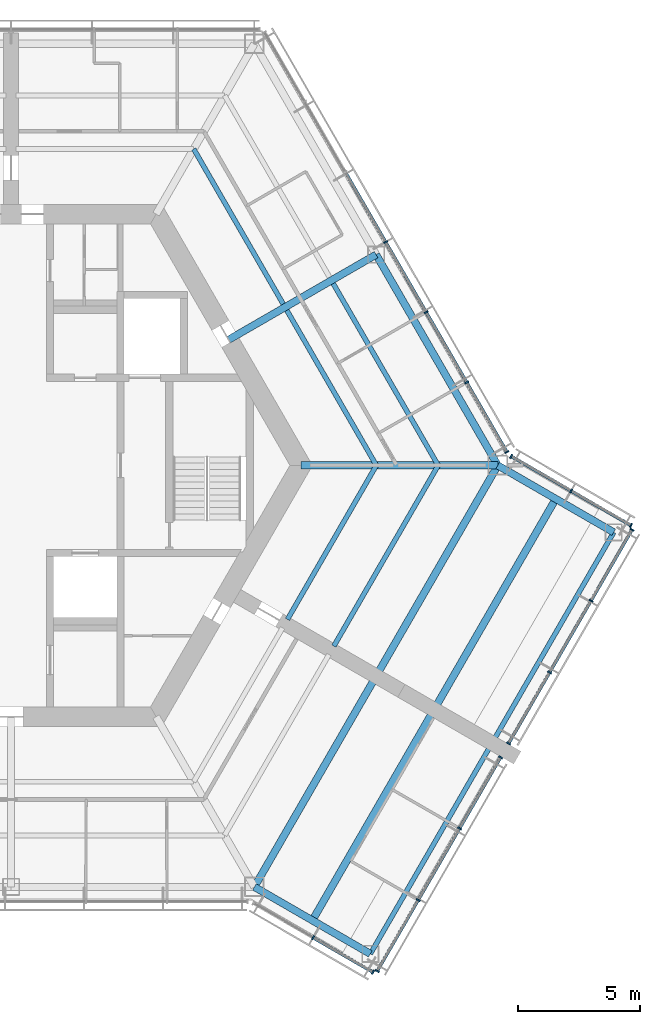
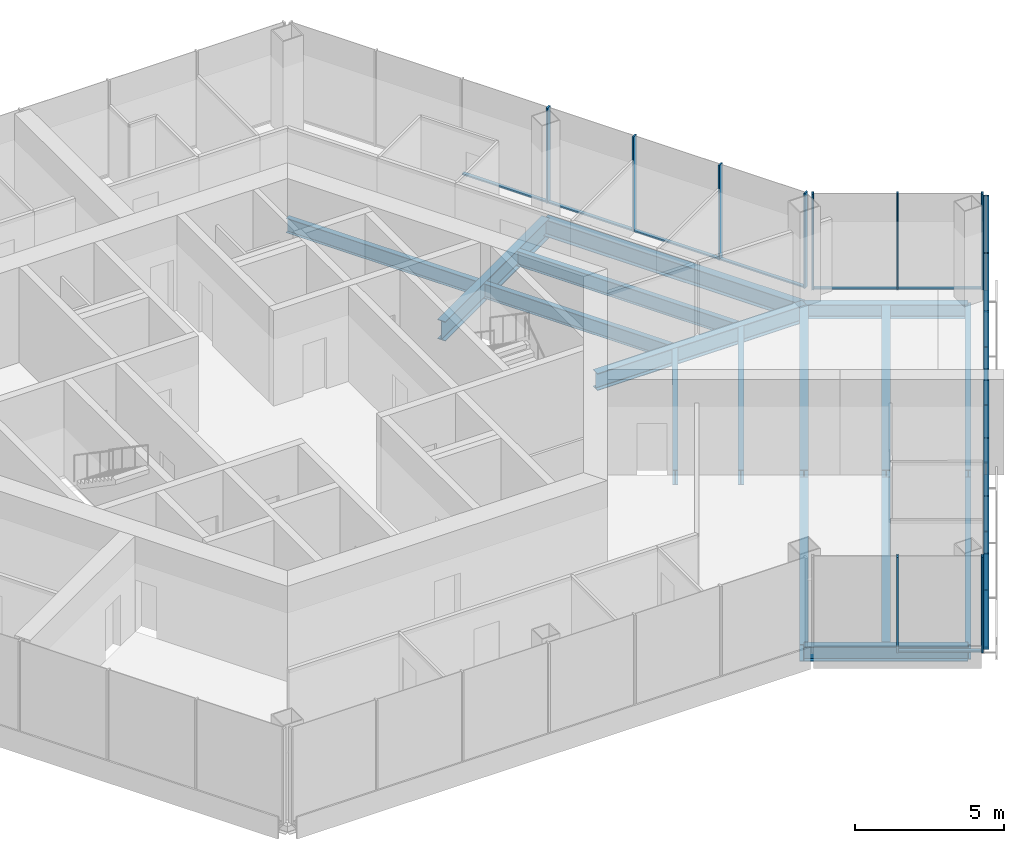
# One storey, part 4 of 13: 30 members, 16 beams, 5 elements without a shape of their own.
"""IFC4 building model written with IfcOpenShell, lengths in metres."""

from ifc_helpers import new_model, si_unit, direction, frame, origin, origin_2d, place, context, subcontext, project, spatial, rectangle, i_section, extrude, material, material_profile, profile_set, type_object, element, aggregate, save


model = new_model("IFC4")

# Units and contexts
model_context = context("Model", 3, precision=1e-05, world=origin(), true_north=direction((0.0, 1.0)))
body_context = subcontext(model_context, "Body", "Model", "MODEL_VIEW")
ifc_project = project(units=[si_unit("LENGTHUNIT", "METRE"), si_unit("AREAUNIT", "SQUARE_METRE"), si_unit("VOLUMEUNIT", "CUBIC_METRE"), si_unit("PLANEANGLEUNIT", "RADIAN"), si_unit("MASSUNIT", "GRAM", prefix="KILO")], contexts=[model_context])

# Site, building, storey
site_placement = place(None, origin())
site = spatial("IfcSite", under=ifc_project, at=site_placement, CompositionType="ELEMENT")
building_placement = place(site_placement, origin())
building = spatial("IfcBuilding", under=site, at=building_placement, Name="Kasaneha Research Tower", CompositionType="ELEMENT")
storey_placement = place(building_placement, frame((0.0, 0.0, 279.10009765625)))
storey = spatial("IfcBuildingStorey", under=building, at=storey_placement, Name="L70", CompositionType="ELEMENT", Elevation=279.10009765625)

# Beams
ifc_material_1 = material(Name="Steel SN490B", Category="steel")
ifc_material_profile_1 = material_profile(ifc_material_1, i_section(OverallWidth=0.199951171875, OverallDepth=0.60009765625, WebThickness=0.010986328125, FlangeThickness=0.01708984375, FilletRadius=0.012939453125, at=origin_2d()), Name="H-600x200x11x17")
ifc_profile_set_1 = profile_set([ifc_material_profile_1], Name="Steel SN490B")
beam_type_1 = type_object("IfcBeamType", Name="B1-3 secondary beam H-600x200x11x17", PredefinedType="JOIST", material=ifc_profile_set_1)
beam_1_placement = place(storey_placement, frame((15.010986328125, 0.0, -0.4501953125), z_axis=(-0.499994443168, 0.866028611999, 0.0), x_axis=(-0.866028611999, -0.499994443168, 0.0)))
element("IfcBeam", 1, at=beam_1_placement, inside=storey, type_object=beam_type_1, Name="Secondary beam RS030L1 L70", PredefinedType="JOIST", context=body_context, shape_type="SweptSolid", body=[
    extrude(i_section(OverallWidth=0.199951171875, OverallDepth=0.60009765625, WebThickness=0.010986328125, FlangeThickness=0.01708984375, FilletRadius=0.012939453125, at=origin_2d()), origin(), (0.0, 0.0, 1.0), 7.35546875),
])
beam_2_placement = place(storey_placement, frame((17.551513671875, 0.0, -0.4501953125), z_axis=(-0.5000050195, 0.866022505755, 0.0), x_axis=(-0.866022505755, -0.5000050195, 0.0)))
element("IfcBeam", 2, at=beam_2_placement, inside=storey, type_object=beam_type_1, Name="Secondary beam RS030L2 L70", PredefinedType="JOIST", context=body_context, shape_type="SweptSolid", body=[
    extrude(i_section(OverallWidth=0.199951171875, OverallDepth=0.60009765625, WebThickness=0.010986328125, FlangeThickness=0.01708984375, FilletRadius=0.012939453125, at=origin_2d()), origin(), (0.0, 0.0, 1.0), 8.6259765625),
])
beam_3_placement = place(storey_placement, frame((7.505615234375, 13.0, -0.4501953125), z_axis=(0.499994443168, -0.866028611999, 0.0), x_axis=(0.866028611999, 0.499994443168, 0.0)))
element("IfcBeam", 3, at=beam_3_placement, inside=storey, type_object=beam_type_1, Name="Secondary beam RS030R1 L70", PredefinedType="JOIST", context=body_context, shape_type="SweptSolid", body=[
    extrude(i_section(OverallWidth=0.199951171875, OverallDepth=0.60009765625, WebThickness=0.010986328125, FlangeThickness=0.01708984375, FilletRadius=0.012939453125, at=origin_2d()), origin(), (0.0, 0.0, 1.0), 7.35546875),
])
beam_4_placement = place(storey_placement, frame((15.010986328125, 0.0, -0.4501953125), z_axis=(-0.499974128195, -0.866040340363, 0.0), x_axis=(0.866040340363, -0.499974128195, 0.0)))
element("IfcBeam", 4, at=beam_4_placement, inside=storey, type_object=beam_type_1, Name="Secondary beam RS330R1 L70", PredefinedType="JOIST", context=body_context, shape_type="SweptSolid", body=[
    extrude(i_section(OverallWidth=0.199951171875, OverallDepth=0.60009765625, WebThickness=0.010986328125, FlangeThickness=0.01708984375, FilletRadius=0.012939453125, at=origin_2d()), origin(), (0.0, 0.0, 1.0), 7.3056640625),
])
beam_5_placement = place(storey_placement, frame((17.551513671875, 0.0, -0.4501953125), z_axis=(-0.500000102728, -0.866025344474, 0.0), x_axis=(0.866025344474, -0.500000102728, 0.0)))
element("IfcBeam", 5, at=beam_5_placement, inside=storey, type_object=beam_type_1, Name="Secondary beam RS330R2 L70", PredefinedType="JOIST", context=body_context, shape_type="SweptSolid", body=[
    extrude(i_section(OverallWidth=0.199951171875, OverallDepth=0.60009765625, WebThickness=0.010986328125, FlangeThickness=0.01708984375, FilletRadius=0.012939453125, at=origin_2d()), origin(), (0.0, 0.0, 1.0), 8.57568359375),
])
ifc_material_2 = material(Name="Steel SN490B", Category="steel")
ifc_material_profile_2 = material_profile(ifc_material_2, i_section(OverallWidth=0.300048828125, OverallDepth=0.58203125, WebThickness=0.011962890625, FlangeThickness=0.01708984375, FilletRadius=0.012939453125, at=origin_2d()), Name="H-582x300x12x17")
ifc_profile_set_2 = profile_set([ifc_material_profile_2], Name="Steel SN490B")
beam_type_2 = type_object("IfcBeamType", Name="B2-3 secondary beam H-582x300x12x17", PredefinedType="JOIST", material=ifc_profile_set_2)
for number, where, z_axis, x_axis, name in (
    (6, (12.381591796875, -18.695556640625, -0.441162109375), (0.49999201416, 0.866030014362, 0.0), (-0.866030014362, 0.49999201416, 0.0), "Secondary beam WBCP1 L70"),
    (7, (22.381591796875, -1.375, -0.441162109375), (-0.49999201416, -0.866030014362, 0.0), (0.866030014362, -0.49999201416, 0.0), "Secondary beam WBCN1 L70"),
):
    element("IfcBeam", number, at=place(storey_placement, frame(where, z_axis=z_axis, x_axis=x_axis)), inside=storey, type_object=beam_type_2, Name=name, PredefinedType="JOIST", context=body_context, shape_type="SweptSolid", body=[
        extrude(i_section(OverallWidth=0.300048828125, OverallDepth=0.58203125, WebThickness=0.011962890625, FlangeThickness=0.01708984375, FilletRadius=0.012939453125, at=origin_2d()), origin(), (0.0, 0.0, 1.0), 9.800048828125),
    ])

# Curtain wall, members
ifc_material_3 = material(Name="Glass and aluminium", Category="aluminium")
curtain_wall_type = type_object("IfcCurtainWallType", Name="Crown curtain wall", PredefinedType="USERDEFINED", material=ifc_material_3)
curtain_wall_1_placement = place(storey_placement, origin())
curtain_wall_1 = element("IfcCurtainWall", 8, at=curtain_wall_1_placement, inside=storey, type_object=curtain_wall_type, Name="CW-C L70 run 01a", ObjectType="UNITISED CURTAIN WALL", PredefinedType="USERDEFINED")
ifc_material_4 = material(Name="Aluminium 6063-T6", Category="aluminium")
ifc_material_profile_3 = material_profile(ifc_material_4, rectangle(XDim=0.06005859375, YDim=0.179931640625, at=origin_2d()), Name="CW-C mullion 60x180")
ifc_profile_set_3 = profile_set([ifc_material_profile_3], Name="Aluminium 6063-T6")
member_type_1 = type_object("IfcMemberType", Name="CW-C mullion", PredefinedType="MULLION", material=ifc_profile_set_3)
member_1_placement = place(storey_placement, frame((20.374267578125, 0.5517578125, 0.0), z_axis=(0.0, 0.0, 1.0), x_axis=(-0.499999979232, 0.866025415775, 0.0)))
member_1 = element("IfcMember", 9, at=member_1_placement, type_object=member_type_1, Name="CW-C mullion 1", PredefinedType="MULLION", context=body_context, shape_type="SweptSolid", body=[
    extrude(rectangle(XDim=0.06005859375, YDim=0.179931640625, at=origin_2d()), origin(), (0.0, 0.0, 1.0), 3.89990234375),
])
member_2_placement = place(storey_placement, frame((18.723876953125, 3.410400390625, 0.0), z_axis=(0.0, 0.0, 1.0), x_axis=(-0.499999979232, 0.866025415775, 0.0)))
member_2 = element("IfcMember", 10, at=member_2_placement, type_object=member_type_1, Name="CW-C mullion 2", PredefinedType="MULLION", context=body_context, shape_type="SweptSolid", body=[
    extrude(rectangle(XDim=0.06005859375, YDim=0.179931640625, at=origin_2d()), origin(), (0.0, 0.0, 1.0), 3.89990234375),
])
member_3_placement = place(storey_placement, frame((17.058349609375, 6.295166015625, 0.0), z_axis=(0.0, 0.0, 1.0), x_axis=(-0.499999979232, 0.866025415775, 0.0)))
member_3 = element("IfcMember", 11, at=member_3_placement, type_object=member_type_1, Name="CW-C mullion 3", PredefinedType="MULLION", context=body_context, shape_type="SweptSolid", body=[
    extrude(rectangle(XDim=0.06005859375, YDim=0.179931640625, at=origin_2d()), origin(), (0.0, 0.0, 1.0), 3.89990234375),
])
member_4_placement = place(storey_placement, frame((15.392822265625, 9.179931640625, 0.0), z_axis=(0.0, 0.0, 1.0), x_axis=(-0.499999979232, 0.866025415775, 0.0)))
member_4 = element("IfcMember", 12, at=member_4_placement, type_object=member_type_1, Name="CW-C mullion 4", PredefinedType="MULLION", context=body_context, shape_type="SweptSolid", body=[
    extrude(rectangle(XDim=0.06005859375, YDim=0.179931640625, at=origin_2d()), origin(), (0.0, 0.0, 1.0), 3.89990234375),
])

curtain_wall_2_placement = place(storey_placement, origin())
curtain_wall_2 = element("IfcCurtainWall", 13, at=curtain_wall_2_placement, inside=storey, type_object=curtain_wall_type, Name="CW-C L70 run 06a", ObjectType="UNITISED CURTAIN WALL", PredefinedType="USERDEFINED")
member_5_placement = place(storey_placement, frame((12.410888671875, -19.4052734375, 0.0), z_axis=(0.0, 0.0, 1.0), x_axis=(0.866025443395, -0.499999931393, 0.0)))
member_5 = element("IfcMember", 14, at=member_5_placement, type_object=member_type_1, Name="CW-C mullion 2", PredefinedType="MULLION", context=body_context, shape_type="SweptSolid", body=[
    extrude(rectangle(XDim=0.06005859375, YDim=0.179931640625, at=origin_2d()), origin(), (0.0, 0.0, 1.0), 3.89990234375),
])
member_6_placement = place(storey_placement, frame((14.8701171875, -20.8251953125, 0.0), z_axis=(0.0, 0.0, 1.0), x_axis=(0.866025443395, -0.499999931393, 0.0)))
member_6 = element("IfcMember", 15, at=member_6_placement, type_object=member_type_1, Name="CW-C mullion 3", PredefinedType="MULLION", context=body_context, shape_type="SweptSolid", body=[
    extrude(rectangle(XDim=0.06005859375, YDim=0.179931640625, at=origin_2d()), origin(), (0.0, 0.0, 1.0), 3.89990234375),
])

curtain_wall_3_placement = place(storey_placement, origin())
curtain_wall_3 = element("IfcCurtainWall", 16, at=curtain_wall_3_placement, inside=storey, type_object=curtain_wall_type, Name="CW-C L70 run 07a", ObjectType="UNITISED CURTAIN WALL", PredefinedType="USERDEFINED")
member_7_placement = place(storey_placement, frame((15.0478515625, -20.777587890625, 0.0), z_axis=(0.0, 0.0, 1.0), x_axis=(0.500000011442, 0.866025397178, 0.0)))
member_7 = element("IfcMember", 17, at=member_7_placement, type_object=member_type_1, Name="CW-C mullion 1", PredefinedType="MULLION", context=body_context, shape_type="SweptSolid", body=[
    extrude(rectangle(XDim=0.06005859375, YDim=0.179931640625, at=origin_2d()), origin(), (0.0, 0.0, 1.0), 3.89990234375),
])
member_8_placement = place(storey_placement, frame((16.732666015625, -17.859130859375, 0.0), z_axis=(0.0, 0.0, 1.0), x_axis=(0.500000011442, 0.866025397178, 0.0)))
member_8 = element("IfcMember", 18, at=member_8_placement, type_object=member_type_1, Name="CW-C mullion 2", PredefinedType="MULLION", context=body_context, shape_type="SweptSolid", body=[
    extrude(rectangle(XDim=0.06005859375, YDim=0.179931640625, at=origin_2d()), origin(), (0.0, 0.0, 1.0), 3.89990234375),
])
member_9_placement = place(storey_placement, frame((18.432861328125, -14.91455078125, 0.0), z_axis=(0.0, 0.0, 1.0), x_axis=(0.500000011442, 0.866025397178, 0.0)))
member_9 = element("IfcMember", 19, at=member_9_placement, type_object=member_type_1, Name="CW-C mullion 3", PredefinedType="MULLION", context=body_context, shape_type="SweptSolid", body=[
    extrude(rectangle(XDim=0.06005859375, YDim=0.179931640625, at=origin_2d()), origin(), (0.0, 0.0, 1.0), 3.89990234375),
])
member_10_placement = place(storey_placement, frame((20.11767578125, -11.99609375, 0.0), z_axis=(0.0, 0.0, 1.0), x_axis=(0.500000011442, 0.866025397178, 0.0)))
member_10 = element("IfcMember", 20, at=member_10_placement, type_object=member_type_1, Name="CW-C mullion 4", PredefinedType="MULLION", context=body_context, shape_type="SweptSolid", body=[
    extrude(rectangle(XDim=0.06005859375, YDim=0.179931640625, at=origin_2d()), origin(), (0.0, 0.0, 1.0), 3.89990234375),
])

curtain_wall_4_placement = place(storey_placement, origin())
curtain_wall_4 = element("IfcCurtainWall", 21, at=curtain_wall_4_placement, inside=storey, type_object=curtain_wall_type, Name="CW-C L70 run 08a", ObjectType="UNITISED CURTAIN WALL", PredefinedType="USERDEFINED")
member_11_placement = place(storey_placement, frame((20.44775390625, -11.424560546875, 0.0), z_axis=(0.0, 0.0, 1.0), x_axis=(0.500000011442, 0.866025397178, 0.0)))
member_11 = element("IfcMember", 22, at=member_11_placement, type_object=member_type_1, Name="CW-C mullion 1", PredefinedType="MULLION", context=body_context, shape_type="SweptSolid", body=[
    extrude(rectangle(XDim=0.06005859375, YDim=0.179931640625, at=origin_2d()), origin(), (0.0, 0.0, 1.0), 3.89990234375),
])
member_12_placement = place(storey_placement, frame((22.1328125, -8.505859375, 0.0), z_axis=(0.0, 0.0, 1.0), x_axis=(0.500000011442, 0.866025397178, 0.0)))
member_12 = element("IfcMember", 23, at=member_12_placement, type_object=member_type_1, Name="CW-C mullion 2", PredefinedType="MULLION", context=body_context, shape_type="SweptSolid", body=[
    extrude(rectangle(XDim=0.06005859375, YDim=0.179931640625, at=origin_2d()), origin(), (0.0, 0.0, 1.0), 3.89990234375),
])
member_13_placement = place(storey_placement, frame((23.832763671875, -5.5615234375, 0.0), z_axis=(0.0, 0.0, 1.0), x_axis=(0.500000011442, 0.866025397178, 0.0)))
member_13 = element("IfcMember", 24, at=member_13_placement, type_object=member_type_1, Name="CW-C mullion 3", PredefinedType="MULLION", context=body_context, shape_type="SweptSolid", body=[
    extrude(rectangle(XDim=0.06005859375, YDim=0.179931640625, at=origin_2d()), origin(), (0.0, 0.0, 1.0), 3.89990234375),
])
member_14_placement = place(storey_placement, frame((25.517822265625, -2.64306640625, 0.0), z_axis=(0.0, 0.0, 1.0), x_axis=(0.500000011442, 0.866025397178, 0.0)))
member_14 = element("IfcMember", 25, at=member_14_placement, type_object=member_type_1, Name="CW-C mullion 4", PredefinedType="MULLION", context=body_context, shape_type="SweptSolid", body=[
    extrude(rectangle(XDim=0.06005859375, YDim=0.179931640625, at=origin_2d()), origin(), (0.0, 0.0, 1.0), 3.89990234375),
])

curtain_wall_5_placement = place(storey_placement, origin())
curtain_wall_5 = element("IfcCurtainWall", 26, at=curtain_wall_5_placement, inside=storey, type_object=curtain_wall_type, Name="CW-C L70 run 09a", ObjectType="UNITISED CURTAIN WALL", PredefinedType="USERDEFINED")
member_15_placement = place(storey_placement, frame((25.47021484375, -2.46533203125, 0.0), z_axis=(0.0, 0.0, 1.0), x_axis=(-0.866025443395, 0.499999931393, 0.0)))
member_15 = element("IfcMember", 27, at=member_15_placement, type_object=member_type_1, Name="CW-C mullion 1", PredefinedType="MULLION", context=body_context, shape_type="SweptSolid", body=[
    extrude(rectangle(XDim=0.06005859375, YDim=0.179931640625, at=origin_2d()), origin(), (0.0, 0.0, 1.0), 3.89990234375),
])
member_16_placement = place(storey_placement, frame((23.010986328125, -1.045654296875, 0.0), z_axis=(0.0, 0.0, 1.0), x_axis=(-0.866025443395, 0.499999931393, 0.0)))
member_16 = element("IfcMember", 28, at=member_16_placement, type_object=member_type_1, Name="CW-C mullion 2", PredefinedType="MULLION", context=body_context, shape_type="SweptSolid", body=[
    extrude(rectangle(XDim=0.06005859375, YDim=0.179931640625, at=origin_2d()), origin(), (0.0, 0.0, 1.0), 3.89990234375),
])
member_17_placement = place(storey_placement, frame((20.5517578125, 0.374267578125, 0.0), z_axis=(0.0, 0.0, 1.0), x_axis=(-0.866025443395, 0.499999931393, 0.0)))
member_17 = element("IfcMember", 29, at=member_17_placement, type_object=member_type_1, Name="CW-C mullion 3", PredefinedType="MULLION", context=body_context, shape_type="SweptSolid", body=[
    extrude(rectangle(XDim=0.06005859375, YDim=0.179931640625, at=origin_2d()), origin(), (0.0, 0.0, 1.0), 3.89990234375),
])

# Member
ifc_material_5 = material(Name="Aluminium 6063-T6", Category="aluminium")
ifc_material_profile_4 = material_profile(ifc_material_5, rectangle(XDim=0.1298828125, YDim=0.06005859375, at=origin_2d()), Name="CW-C transom 130x60")
ifc_profile_set_4 = profile_set([ifc_material_profile_4], Name="Aluminium 6063-T6")
member_type_2 = type_object("IfcMemberType", Name="CW-C transom", PredefinedType="USERDEFINED", material=ifc_profile_set_4)
member_18_placement = place(storey_placement, frame((20.359130859375, 0.577880859375, 0.02978515625), z_axis=(-0.499987643696, 0.866032537582, 0.0), x_axis=(-0.866032537582, -0.499987643696, 0.0)))
member_18 = element("IfcMember", 30, at=member_18_placement, type_object=member_type_2, Name="CW-C transom 1", ObjectType="TRANSOM", PredefinedType="USERDEFINED", context=body_context, shape_type="SweptSolid", body=[
    extrude(rectangle(XDim=0.1298828125, YDim=0.06005859375, at=origin_2d()), origin(), (0.0, 0.0, 1.0), 3.24072265625),
])

member_19_placement = place(storey_placement, frame((18.708740234375, 3.4365234375, 0.02978515625), z_axis=(-0.500000270186, 0.866025247793, 0.0), x_axis=(-0.866025247793, -0.500000270186, 0.0)))
member_19 = element("IfcMember", 31, at=member_19_placement, type_object=member_type_2, Name="CW-C transom 2", ObjectType="TRANSOM", PredefinedType="USERDEFINED", context=body_context, shape_type="SweptSolid", body=[
    extrude(rectangle(XDim=0.1298828125, YDim=0.06005859375, at=origin_2d()), origin(), (0.0, 0.0, 1.0), 3.27099609375),
])

member_20_placement = place(storey_placement, frame((17.043212890625, 6.3212890625, 0.02978515625), z_axis=(-0.50003259116, 0.866006586452, 0.0), x_axis=(-0.866006586452, -0.50003259116, 0.0)))
member_20 = element("IfcMember", 32, at=member_20_placement, type_object=member_type_2, Name="CW-C transom 3", ObjectType="TRANSOM", PredefinedType="USERDEFINED", context=body_context, shape_type="SweptSolid", body=[
    extrude(rectangle(XDim=0.1298828125, YDim=0.06005859375, at=origin_2d()), origin(), (0.0, 0.0, 1.0), 3.270751953125),
])

member_21_placement = place(storey_placement, frame((15.3779296875, 9.205810546875, 0.02978515625), z_axis=(-0.500000270186, 0.866025247793, 0.0), x_axis=(-0.866025247793, -0.500000270186, 0.0)))
member_21 = element("IfcMember", 33, at=member_21_placement, type_object=member_type_2, Name="CW-C transom 4", ObjectType="TRANSOM", PredefinedType="USERDEFINED", context=body_context, shape_type="SweptSolid", body=[
    extrude(rectangle(XDim=0.1298828125, YDim=0.06005859375, at=origin_2d()), origin(), (0.0, 0.0, 1.0), 3.27099609375),
])

aggregate(curtain_wall_1, [member_1, member_2, member_3, member_4, member_18, member_19, member_20, member_21])

member_22_placement = place(storey_placement, frame((12.43701171875, -19.42041015625, 0.02978515625), z_axis=(0.866051024128, -0.499955621637, 0.0), x_axis=(0.499955621637, 0.866051024128, 0.0)))
member_22 = element("IfcMember", 34, at=member_22_placement, type_object=member_type_2, Name="CW-C transom 2", ObjectType="TRANSOM", PredefinedType="USERDEFINED", context=body_context, shape_type="SweptSolid", body=[
    extrude(rectangle(XDim=0.1298828125, YDim=0.06005859375, at=origin_2d()), origin(), (0.0, 0.0, 1.0), 2.779541015625),
])

aggregate(curtain_wall_2, [member_5, member_6, member_22])

member_23_placement = place(storey_placement, frame((15.062744140625, -20.75146484375, 0.02978515625), z_axis=(0.500018282537, 0.866014848099, 0.0), x_axis=(-0.866014848099, 0.500018282537, 0.0)))
member_23 = element("IfcMember", 35, at=member_23_placement, type_object=member_type_2, Name="CW-C transom 1", ObjectType="TRANSOM", PredefinedType="USERDEFINED", context=body_context, shape_type="SweptSolid", body=[
    extrude(rectangle(XDim=0.1298828125, YDim=0.06005859375, at=origin_2d()), origin(), (0.0, 0.0, 1.0), 3.31005859375),
])

member_24_placement = place(storey_placement, frame((16.747802734375, -17.8330078125, 0.02978515625), z_axis=(0.499975549825, 0.866039519639, 0.0), x_axis=(-0.866039519639, 0.499975549825, 0.0)))
member_24 = element("IfcMember", 36, at=member_24_placement, type_object=member_type_2, Name="CW-C transom 2", ObjectType="TRANSOM", PredefinedType="USERDEFINED", context=body_context, shape_type="SweptSolid", body=[
    extrude(rectangle(XDim=0.1298828125, YDim=0.06005859375, at=origin_2d()), origin(), (0.0, 0.0, 1.0), 3.340087890625),
])

member_25_placement = place(storey_placement, frame((18.44775390625, -14.888671875, 0.02978515625), z_axis=(0.49998634449, 0.866033287653, 0.0), x_axis=(-0.866033287653, 0.49998634449, 0.0)))
member_25 = element("IfcMember", 37, at=member_25_placement, type_object=member_type_2, Name="CW-C transom 3", ObjectType="TRANSOM", PredefinedType="USERDEFINED", context=body_context, shape_type="SweptSolid", body=[
    extrude(rectangle(XDim=0.1298828125, YDim=0.06005859375, at=origin_2d()), origin(), (0.0, 0.0, 1.0), 3.31005859375),
])

aggregate(curtain_wall_3, [member_7, member_8, member_9, member_10, member_23, member_24, member_25])

member_26_placement = place(storey_placement, frame((20.462646484375, -11.3984375, 0.02978515625), z_axis=(0.500018282537, 0.866014848099, 0.0), x_axis=(-0.866014848099, 0.500018282537, 0.0)))
member_26 = element("IfcMember", 38, at=member_26_placement, type_object=member_type_2, Name="CW-C transom 1", ObjectType="TRANSOM", PredefinedType="USERDEFINED", context=body_context, shape_type="SweptSolid", body=[
    extrude(rectangle(XDim=0.1298828125, YDim=0.06005859375, at=origin_2d()), origin(), (0.0, 0.0, 1.0), 3.31005859375),
])

member_27_placement = place(storey_placement, frame((22.147705078125, -8.47998046875, 0.02978515625), z_axis=(0.500030370488, 0.866007868665, 0.0), x_axis=(-0.866007868665, 0.500030370488, 0.0)))
member_27 = element("IfcMember", 39, at=member_27_placement, type_object=member_type_2, Name="CW-C transom 2", ObjectType="TRANSOM", PredefinedType="USERDEFINED", context=body_context, shape_type="SweptSolid", body=[
    extrude(rectangle(XDim=0.1298828125, YDim=0.06005859375, at=origin_2d()), origin(), (0.0, 0.0, 1.0), 3.340087890625),
])

member_28_placement = place(storey_placement, frame((23.84765625, -5.535400390625, 0.02978515625), z_axis=(0.500018282537, 0.866014848099, 0.0), x_axis=(-0.866014848099, 0.500018282537, 0.0)))
member_28 = element("IfcMember", 40, at=member_28_placement, type_object=member_type_2, Name="CW-C transom 3", ObjectType="TRANSOM", PredefinedType="USERDEFINED", context=body_context, shape_type="SweptSolid", body=[
    extrude(rectangle(XDim=0.1298828125, YDim=0.06005859375, at=origin_2d()), origin(), (0.0, 0.0, 1.0), 3.31005859375),
])

aggregate(curtain_wall_4, [member_11, member_12, member_13, member_14, member_26, member_27, member_28])

member_29_placement = place(storey_placement, frame((25.444091796875, -2.450439453125, 0.02978515625), z_axis=(-0.866012991964, 0.500021497287, 0.0), x_axis=(-0.500021497287, -0.866012991964, 0.0)))
member_29 = element("IfcMember", 41, at=member_29_placement, type_object=member_type_2, Name="CW-C transom 1", ObjectType="TRANSOM", PredefinedType="USERDEFINED", context=body_context, shape_type="SweptSolid", body=[
    extrude(rectangle(XDim=0.1298828125, YDim=0.06005859375, at=origin_2d()), origin(), (0.0, 0.0, 1.0), 2.77978515625),
])

member_30_placement = place(storey_placement, frame((22.985107421875, -1.030517578125, 0.02978515625), z_axis=(-0.866051024128, 0.499955621637, 0.0), x_axis=(-0.499955621637, -0.866051024128, 0.0)))
member_30 = element("IfcMember", 42, at=member_30_placement, type_object=member_type_2, Name="CW-C transom 2", ObjectType="TRANSOM", PredefinedType="USERDEFINED", context=body_context, shape_type="SweptSolid", body=[
    extrude(rectangle(XDim=0.1298828125, YDim=0.06005859375, at=origin_2d()), origin(), (0.0, 0.0, 1.0), 2.779541015625),
])

aggregate(curtain_wall_5, [member_15, member_16, member_17, member_29, member_30])

# Beams
ifc_material_6 = material(Name="Steel SN490B", Category="steel")
ifc_material_profile_5 = material_profile(ifc_material_6, i_section(OverallWidth=0.300048828125, OverallDepth=0.699951171875, WebThickness=0.012939453125, FlangeThickness=0.02392578125, FilletRadius=0.01806640625, at=origin_2d()), Name="H-700x300x13x24")
ifc_profile_set_5 = profile_set([ifc_material_profile_5], Name="Steel SN490B")
beam_type_3 = type_object("IfcBeamType", Name="G1-3 radial girder H-700x300x13x24", PredefinedType="BEAM", material=ifc_profile_set_5)
beam_6_placement = place(storey_placement, frame((11.92236328125, 0.0, -0.5), z_axis=(1.0, 0.0, 0.0), x_axis=(0.0, 1.0, 0.0)))
element("IfcBeam", 43, at=beam_6_placement, inside=storey, type_object=beam_type_3, Name="Radial girder RV000 L70", PredefinedType="BEAM", context=body_context, shape_type="SweptSolid", body=[
    extrude(i_section(OverallWidth=0.300048828125, OverallDepth=0.699951171875, WebThickness=0.012939453125, FlangeThickness=0.02392578125, FilletRadius=0.01806640625, at=origin_2d()), origin(), (0.0, 0.0, 1.0), 8.07763671875),
])
ifc_material_7 = material(Name="Steel SN490B", Category="steel")
ifc_material_profile_6 = material_profile(ifc_material_7, i_section(OverallWidth=0.300048828125, OverallDepth=0.800048828125, WebThickness=0.013916015625, FlangeThickness=0.02587890625, FilletRadius=0.01806640625, at=origin_2d()), Name="H-800x300x14x26")
ifc_profile_set_6 = profile_set([ifc_material_profile_6], Name="Steel SN490B")
beam_type_4 = type_object("IfcBeamType", Name="G2-3 radial girder H-800x300x14x26", PredefinedType="BEAM", material=ifc_profile_set_6)
beam_7_placement = place(storey_placement, frame((8.941650390625, 5.16259765625, -0.550048828125), z_axis=(0.866039713508, 0.499975214012, 0.0), x_axis=(-0.499975214012, 0.866039713508, 0.0)))
element("IfcBeam", 44, at=beam_7_placement, inside=storey, type_object=beam_type_4, Name="Radial girder RM030 L70", PredefinedType="BEAM", context=body_context, shape_type="SweptSolid", body=[
    extrude(i_section(OverallWidth=0.300048828125, OverallDepth=0.800048828125, WebThickness=0.013916015625, FlangeThickness=0.02587890625, FilletRadius=0.01806640625, at=origin_2d()), origin(), (0.0, 0.0, 1.0), 6.995361328125),
])
ifc_material_8 = material(Name="Steel SN490B", Category="steel")
ifc_material_profile_7 = material_profile(ifc_material_8, i_section(OverallWidth=0.300048828125, OverallDepth=0.69189453125, WebThickness=0.012939453125, FlangeThickness=0.02001953125, FilletRadius=0.01806640625, at=origin_2d()), Name="H-692x300x13x20")
ifc_profile_set_7 = profile_set([ifc_material_profile_7], Name="Steel SN490B")
beam_type_5 = type_object("IfcBeamType", Name="G3-3 plate edge girder H-692x300x13x20", PredefinedType="BEAM", material=ifc_profile_set_7)
for number, where, z_axis, x_axis, name in (
    (45, (10.0, -17.320556640625, -0.49609375), (0.49999201416, 0.866030014362, 0.0), (-0.866030014362, 0.49999201416, 0.0), "Plate edge girder PECP L70"),
    (46, (20.0, 0.0, -0.49609375), (-0.49999201416, -0.866030014362, 0.0), (0.866030014362, -0.49999201416, 0.0), "Plate edge girder PECN L70"),
):
    element("IfcBeam", number, at=place(storey_placement, frame(where, z_axis=z_axis, x_axis=x_axis)), inside=storey, type_object=beam_type_5, Name=name, PredefinedType="BEAM", context=body_context, shape_type="SweptSolid", body=[
        extrude(i_section(OverallWidth=0.300048828125, OverallDepth=0.69189453125, WebThickness=0.012939453125, FlangeThickness=0.02001953125, FilletRadius=0.01806640625, at=origin_2d()), origin(), (0.0, 0.0, 1.0), 9.800048828125),
    ])
ifc_material_9 = material(Name="Steel SN490B", Category="steel")
ifc_material_profile_8 = material_profile(ifc_material_9, i_section(OverallWidth=0.300048828125, OverallDepth=0.69189453125, WebThickness=0.012939453125, FlangeThickness=0.02001953125, FilletRadius=0.01806640625, at=origin_2d()), Name="H-692x300x13x20")
ifc_profile_set_8 = profile_set([ifc_material_profile_8], Name="Steel SN490B")
beam_type_6 = type_object("IfcBeamType", Name="SB1-3 spandrel beam H-692x300x13x20", PredefinedType="SPANDREL", material=ifc_profile_set_8)
beam_8_placement = place(storey_placement, frame((20.0, 0.0, -0.49609375), z_axis=(-0.500004234368, 0.866022959057, 0.0), x_axis=(-0.866022959057, -0.500004234368, 0.0)))
element("IfcBeam", 47, at=beam_8_placement, inside=storey, type_object=beam_type_6, Name="Spandrel beam SR030L L70", PredefinedType="SPANDREL", context=body_context, shape_type="SweptSolid", body=[
    extrude(i_section(OverallWidth=0.300048828125, OverallDepth=0.69189453125, WebThickness=0.012939453125, FlangeThickness=0.02001953125, FilletRadius=0.01806640625, at=origin_2d()), origin(), (0.0, 0.0, 1.0), 10.0),
])
ifc_material_10 = material(Name="Steel SN490B", Category="steel")
ifc_material_profile_9 = material_profile(ifc_material_10, i_section(OverallWidth=0.300048828125, OverallDepth=0.58203125, WebThickness=0.011962890625, FlangeThickness=0.01708984375, FilletRadius=0.012939453125, at=origin_2d()), Name="H-582x300x12x17")
ifc_profile_set_9 = profile_set([ifc_material_profile_9], Name="Steel SN490B")
beam_type_7 = type_object("IfcBeamType", Name="SB2-3 spandrel beam H-582x300x12x17", PredefinedType="SPANDREL", material=ifc_profile_set_9)
for number, where, z_axis, x_axis, name in (
    (48, (10.0, -17.320556640625, -0.441162109375), (0.866027397988, -0.499996545922, 0.0), (0.499996545922, 0.866027397988, 0.0), "Spandrel beam WSCP1 L70"),
    (49, (20.0, 0.0, -0.441162109375), (0.866027397988, -0.499996545922, 0.0), (0.499996545922, 0.866027397988, 0.0), "Spandrel beam WSCN1 L70"),
):
    element("IfcBeam", number, at=place(storey_placement, frame(where, z_axis=z_axis, x_axis=x_axis)), inside=storey, type_object=beam_type_7, Name=name, PredefinedType="SPANDREL", context=body_context, shape_type="SweptSolid", body=[
        extrude(i_section(OverallWidth=0.300048828125, OverallDepth=0.58203125, WebThickness=0.011962890625, FlangeThickness=0.01708984375, FilletRadius=0.012939453125, at=origin_2d()), origin(), (0.0, 0.0, 1.0), 5.5),
    ])
ifc_material_11 = material(Name="Steel SN490B", Category="steel")
ifc_material_profile_10 = material_profile(ifc_material_11, i_section(OverallWidth=0.199951171875, OverallDepth=0.60009765625, WebThickness=0.010986328125, FlangeThickness=0.01708984375, FilletRadius=0.012939453125, at=origin_2d()), Name="H-600x200x11x17")
ifc_profile_set_10 = profile_set([ifc_material_profile_10], Name="Steel SN490B")
beam_type_8 = type_object("IfcBeamType", Name="SB3-3 spandrel beam H-600x200x11x17", PredefinedType="SPANDREL", material=ifc_profile_set_10)
for number, where, z_axis, x_axis, name in (
    (50, (14.76318359375, -20.070556640625, -0.4501953125), (0.49999201416, 0.866030014362, 0.0), (-0.866030014362, 0.49999201416, 0.0), "Spandrel beam WTCP L70"),
    (51, (24.76318359375, -2.75, -0.4501953125), (-0.500010698315, -0.866019227021, 0.0), (0.866019227021, -0.500010698315, 0.0), "Spandrel beam WTCN L70"),
):
    element("IfcBeam", number, at=place(storey_placement, frame(where, z_axis=z_axis, x_axis=x_axis)), inside=storey, type_object=beam_type_8, Name=name, PredefinedType="SPANDREL", context=body_context, shape_type="SweptSolid", body=[
        extrude(i_section(OverallWidth=0.199951171875, OverallDepth=0.60009765625, WebThickness=0.010986328125, FlangeThickness=0.01708984375, FilletRadius=0.012939453125, at=origin_2d()), origin(), (0.0, 0.0, 1.0), 9.800048828125),
    ])

save(model, "model.ifc")
